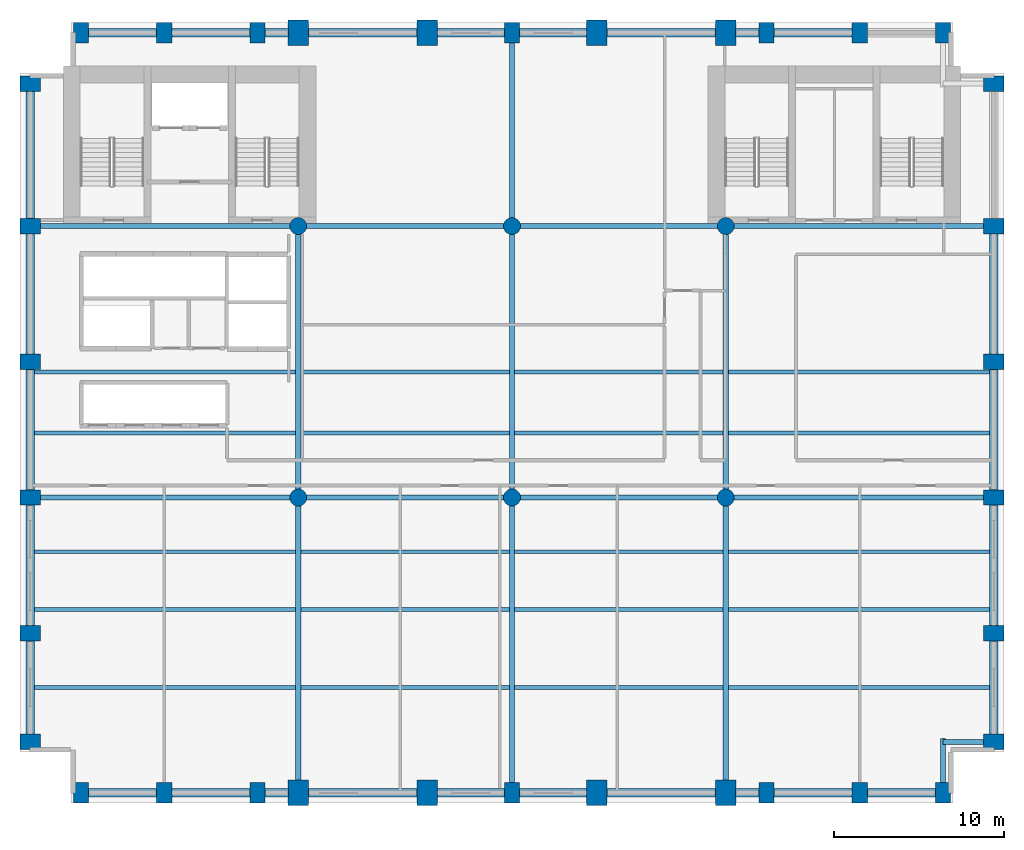
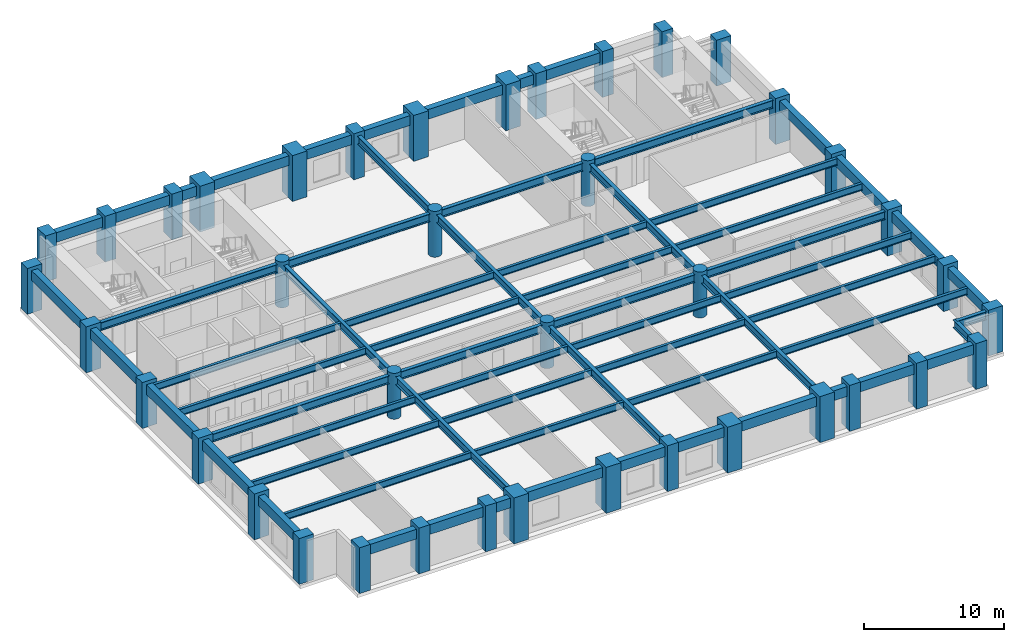
# One storey, part 1 of 8: 65 beams, 40 columns.
"""IFC4 building model written with IfcOpenShell, lengths in metres."""

from ifc_helpers import new_model, si_unit, direction, frame, origin, origin_2d, place, context, subcontext, project, spatial, rectangle, circle, i_section, extrude, material, material_profile, profile_set, type_object, element, save


model = new_model("IFC4")

# Units and contexts
model_context = context("Model", 3, precision=1e-05, world=origin(), true_north=direction((0.0, 1.0)))
body_context = subcontext(model_context, "Body", "Model", "MODEL_VIEW")
ifc_project = project(units=[si_unit("LENGTHUNIT", "METRE"), si_unit("AREAUNIT", "SQUARE_METRE"), si_unit("VOLUMEUNIT", "CUBIC_METRE"), si_unit("PLANEANGLEUNIT", "RADIAN"), si_unit("MASSUNIT", "GRAM", prefix="KILO")], contexts=[model_context])

# Site, building, storey
site_placement = place(None, origin())
site = spatial("IfcSite", under=ifc_project, at=site_placement, CompositionType="ELEMENT")
building_placement = place(site_placement, origin())
building = spatial("IfcBuilding", under=site, at=building_placement, Name="Sulina Concourse Tower", CompositionType="ELEMENT")
storey_placement = place(building_placement, frame((0.0, 0.0, 74.60009765625)))
storey = spatial("IfcBuildingStorey", under=building, at=storey_placement, Name="L18", CompositionType="ELEMENT", Elevation=74.60009765625)

# Columns
ifc_material_1 = material(Name="Concrete C60/75", Category="concrete")
ifc_material_profile_1 = material_profile(ifc_material_1, circle(Radius=0.5, at=origin_2d()), Name="RC D1000")
ifc_profile_set_1 = profile_set([ifc_material_profile_1], Name="Concrete C60/75")
column_type_1 = type_object("IfcColumnType", Name="Lower Interior Circular Column D1000", PredefinedType="COLUMN", material=ifc_profile_set_1)
for number, where, z_axis, x_axis, name in (
    (1, (16.39990234375, 18.0, 0.0), (0.0, 0.0, 1.0), (1.0, 0.0, 0.0), "L18 structural column IC-M-164"),
    (2, (16.39990234375, 34.0, 0.0), (0.0, 0.0, 1.0), (1.0, 0.0, 0.0), "L18 structural column IC-N-164"),
    (3, (29.0, 18.0, 0.0), (0.0, 0.0, 1.0), (1.0, 0.0, 0.0), "L18 structural column IC-M-290"),
    (4, (29.0, 34.0, 0.0), (0.0, 0.0, 1.0), (1.0, 0.0, 0.0), "L18 structural column IC-N-290"),
    (5, (41.60009765625, 18.0, 0.0), (0.0, 0.0, 1.0), (1.0, 0.0, 0.0), "L18 structural column IC-M-416"),
    (6, (41.60009765625, 34.0, 0.0), (0.0, 0.0, 1.0), (1.0, 0.0, 0.0), "L18 structural column IC-N-416"),
):
    element("IfcColumn", number, at=place(storey_placement, frame(where, z_axis=z_axis, x_axis=x_axis)), inside=storey, type_object=column_type_1, Name=name, PredefinedType="COLUMN", context=body_context, shape_type="SweptSolid", body=[
        extrude(circle(Radius=0.5, at=origin_2d()), origin(), (0.0, 0.0, 1.0), 4.0),
    ])
ifc_material_2 = material(Name="Concrete C80/95", Category="concrete")
ifc_material_profile_2 = material_profile(ifc_material_2, rectangle(XDim=1.199951171875, YDim=1.5, at=origin_2d()), Name="RC 1200x1500")
ifc_profile_set_2 = profile_set([ifc_material_profile_2], Name="Concrete C80/95")
column_type_2 = type_object("IfcColumnType", Name="Lower Portal End-Leg Column 1200x1500", PredefinedType="COLUMN", material=ifc_profile_set_2)
for number, where, z_axis, x_axis, name in (
    (7, (16.39990234375, 0.60009765625, 0.0), (0.0, 0.0, 1.0), (1.0, 0.0, 0.0), "L18 structural column TP-S-164"),
    (8, (16.39990234375, 45.39990234375, 0.0), (0.0, 0.0, 1.0), (1.0, 0.0, 0.0), "L18 structural column TP-N-164"),
    (9, (24.0, 0.60009765625, 0.0), (0.0, 0.0, 1.0), (1.0, 0.0, 0.0), "L18 structural column TP-S-240"),
    (10, (24.0, 45.39990234375, 0.0), (0.0, 0.0, 1.0), (1.0, 0.0, 0.0), "L18 structural column TP-N-240"),
    (11, (34.0, 0.60009765625, 0.0), (0.0, 0.0, 1.0), (1.0, 0.0, 0.0), "L18 structural column TP-S-340"),
    (12, (34.0, 45.39990234375, 0.0), (0.0, 0.0, 1.0), (1.0, 0.0, 0.0), "L18 structural column TP-N-340"),
    (13, (41.60009765625, 0.60009765625, 0.0), (0.0, 0.0, 1.0), (1.0, 0.0, 0.0), "L18 structural column TP-S-416"),
    (14, (41.60009765625, 45.39990234375, 0.0), (0.0, 0.0, 1.0), (1.0, 0.0, 0.0), "L18 structural column TP-N-416"),
):
    element("IfcColumn", number, at=place(storey_placement, frame(where, z_axis=z_axis, x_axis=x_axis)), inside=storey, type_object=column_type_2, Name=name, PredefinedType="COLUMN", context=body_context, shape_type="SweptSolid", body=[
        extrude(rectangle(XDim=1.199951171875, YDim=1.5, at=origin_2d()), origin(), (0.0, 0.0, 1.0), 4.0),
    ])
ifc_material_3 = material(Name="Precast concrete C60/75", Category="concrete")
ifc_material_profile_3 = material_profile(ifc_material_3, rectangle(XDim=0.89990234375, YDim=1.199951171875, at=origin_2d()), Name="PC 900x1200")
ifc_profile_set_3 = profile_set([ifc_material_profile_3], Name="Precast concrete C60/75")
column_type_3 = type_object("IfcColumnType", Name="Precast Tube Pier Zone 1 900x1200", PredefinedType="COLUMN", material=ifc_profile_set_3)
for number, where, z_axis, x_axis, name in (
    (15, (3.60009765625, 0.60009765625, 0.0), (0.0, 0.0, 1.0), (1.0, 0.0, 0.0), "L18 structural column TP-S-36"),
    (16, (3.60009765625, 45.39990234375, 0.0), (0.0, 0.0, 1.0), (1.0, 0.0, 0.0), "L18 structural column TP-N-36"),
    (17, (8.5, 0.60009765625, 0.0), (0.0, 0.0, 1.0), (1.0, 0.0, 0.0), "L18 structural column TP-S-85"),
    (18, (8.5, 45.39990234375, 0.0), (0.0, 0.0, 1.0), (1.0, 0.0, 0.0), "L18 structural column TP-N-85"),
    (19, (14.0, 0.60009765625, 0.0), (0.0, 0.0, 1.0), (1.0, 0.0, 0.0), "L18 structural column TP-S-140"),
    (20, (14.0, 45.39990234375, 0.0), (0.0, 0.0, 1.0), (1.0, 0.0, 0.0), "L18 structural column TP-N-140"),
    (21, (29.0, 0.60009765625, 0.0), (0.0, 0.0, 1.0), (1.0, 0.0, 0.0), "L18 structural column TP-S-290"),
    (22, (29.0, 45.39990234375, 0.0), (0.0, 0.0, 1.0), (1.0, 0.0, 0.0), "L18 structural column TP-N-290"),
    (23, (44.0, 0.60009765625, 0.0), (0.0, 0.0, 1.0), (1.0, 0.0, 0.0), "L18 structural column TP-S-440"),
    (24, (44.0, 45.39990234375, 0.0), (0.0, 0.0, 1.0), (1.0, 0.0, 0.0), "L18 structural column TP-N-440"),
    (25, (49.5, 0.60009765625, 0.0), (0.0, 0.0, 1.0), (1.0, 0.0, 0.0), "L18 structural column TP-S-495"),
    (26, (49.5, 45.39990234375, 0.0), (0.0, 0.0, 1.0), (1.0, 0.0, 0.0), "L18 structural column TP-N-495"),
    (27, (54.39990234375, 0.60009765625, 0.0), (0.0, 0.0, 1.0), (1.0, 0.0, 0.0), "L18 structural column TP-S-544"),
    (28, (54.39990234375, 45.39990234375, 0.0), (0.0, 0.0, 1.0), (1.0, 0.0, 0.0), "L18 structural column TP-N-544"),
    (29, (0.60009765625, 3.60009765625, 0.0), (0.0, 0.0, 1.0), (0.0, 1.0, 0.0), "L18 structural column TP-W-36"),
    (30, (57.39990234375, 3.60009765625, 0.0), (0.0, 0.0, 1.0), (0.0, 1.0, 0.0), "L18 structural column TP-E-36"),
    (31, (0.60009765625, 10.0, 0.0), (0.0, 0.0, 1.0), (0.0, 1.0, 0.0), "L18 structural column TP-W-100"),
    (32, (57.39990234375, 10.0, 0.0), (0.0, 0.0, 1.0), (0.0, 1.0, 0.0), "L18 structural column TP-E-100"),
    (33, (0.60009765625, 18.0, 0.0), (0.0, 0.0, 1.0), (0.0, 1.0, 0.0), "L18 structural column TP-W-180"),
    (34, (57.39990234375, 18.0, 0.0), (0.0, 0.0, 1.0), (0.0, 1.0, 0.0), "L18 structural column TP-E-180"),
    (35, (0.60009765625, 26.0, 0.0), (0.0, 0.0, 1.0), (0.0, 1.0, 0.0), "L18 structural column TP-W-260"),
    (36, (57.39990234375, 26.0, 0.0), (0.0, 0.0, 1.0), (0.0, 1.0, 0.0), "L18 structural column TP-E-260"),
    (37, (0.60009765625, 34.0, 0.0), (0.0, 0.0, 1.0), (0.0, 1.0, 0.0), "L18 structural column TP-W-340"),
    (38, (57.39990234375, 34.0, 0.0), (0.0, 0.0, 1.0), (0.0, 1.0, 0.0), "L18 structural column TP-E-340"),
    (39, (0.60009765625, 42.39990234375, 0.0), (0.0, 0.0, 1.0), (0.0, 1.0, 0.0), "L18 structural column TP-W-424"),
    (40, (57.39990234375, 42.39990234375, 0.0), (0.0, 0.0, 1.0), (0.0, 1.0, 0.0), "L18 structural column TP-E-424"),
):
    element("IfcColumn", number, at=place(storey_placement, frame(where, z_axis=z_axis, x_axis=x_axis)), inside=storey, type_object=column_type_3, Name=name, PredefinedType="COLUMN", context=body_context, shape_type="SweptSolid", body=[
        extrude(rectangle(XDim=0.89990234375, YDim=1.199951171875, at=origin_2d()), origin(), (0.0, 0.0, 1.0), 4.0),
    ])

# Beams
ifc_material_4 = material(Name="Steel S355", Category="steel")
ifc_material_profile_4 = material_profile(ifc_material_4, i_section(OverallWidth=0.219970703125, OverallDepth=0.60009765625, WebThickness=0.011962890625, FlangeThickness=0.01904296875, at=origin_2d()), Name="IPE 600")
ifc_profile_set_4 = profile_set([ifc_material_profile_4], Name="Steel S355")
beam_type_1 = type_object("IfcBeamType", Name="Composite Floor Joist IPE600", PredefinedType="JOIST", material=ifc_profile_set_4)
beam_1_placement = place(storey_placement, frame((0.85009765625, 6.800048828125, 3.39990234375), z_axis=(1.0, 0.0, 0.0), x_axis=(0.0, 1.0, 0.0)))
element("IfcBeam", 41, at=beam_1_placement, inside=storey, type_object=beam_type_1, Name="FJ-J06-1-L18", PredefinedType="JOIST", context=body_context, shape_type="SweptSolid", body=[
    extrude(i_section(OverallWidth=0.219970703125, OverallDepth=0.60009765625, WebThickness=0.011962890625, FlangeThickness=0.01904296875, at=origin_2d()), origin(), (0.0, 0.0, 1.0), 15.39990234375),
])
for number, where, z_axis, x_axis, name in (
    (42, (16.550048828125, 6.800048828125, 3.39990234375), (1.0, 0.0, 0.0), (0.0, 1.0, 0.0), "FJ-J06-2-L18"),
    (43, (29.14990234375, 6.800048828125, 3.39990234375), (1.0, 0.0, 0.0), (0.0, 1.0, 0.0), "FJ-J06-3-L18"),
):
    element("IfcBeam", number, at=place(storey_placement, frame(where, z_axis=z_axis, x_axis=x_axis)), inside=storey, type_object=beam_type_1, Name=name, PredefinedType="JOIST", context=body_context, shape_type="SweptSolid", body=[
        extrude(i_section(OverallWidth=0.219970703125, OverallDepth=0.60009765625, WebThickness=0.011962890625, FlangeThickness=0.01904296875, at=origin_2d()), origin(), (0.0, 0.0, 1.0), 12.300048828125),
    ])
for number, where, z_axis, x_axis, name in (
    (44, (41.75, 6.800048828125, 3.39990234375), (1.0, 0.0, 0.0), (0.0, 1.0, 0.0), "FJ-J06-4-L18"),
    (45, (0.85009765625, 11.39990234375, 3.39990234375), (1.0, 0.0, 0.0), (0.0, 1.0, 0.0), "FJ-J11-1-L18"),
):
    element("IfcBeam", number, at=place(storey_placement, frame(where, z_axis=z_axis, x_axis=x_axis)), inside=storey, type_object=beam_type_1, Name=name, PredefinedType="JOIST", context=body_context, shape_type="SweptSolid", body=[
        extrude(i_section(OverallWidth=0.219970703125, OverallDepth=0.60009765625, WebThickness=0.011962890625, FlangeThickness=0.01904296875, at=origin_2d()), origin(), (0.0, 0.0, 1.0), 15.39990234375),
    ])
for number, where, z_axis, x_axis, name in (
    (46, (16.550048828125, 11.39990234375, 3.39990234375), (1.0, 0.0, 0.0), (0.0, 1.0, 0.0), "FJ-J11-2-L18"),
    (47, (29.14990234375, 11.39990234375, 3.39990234375), (1.0, 0.0, 0.0), (0.0, 1.0, 0.0), "FJ-J11-3-L18"),
):
    element("IfcBeam", number, at=place(storey_placement, frame(where, z_axis=z_axis, x_axis=x_axis)), inside=storey, type_object=beam_type_1, Name=name, PredefinedType="JOIST", context=body_context, shape_type="SweptSolid", body=[
        extrude(i_section(OverallWidth=0.219970703125, OverallDepth=0.60009765625, WebThickness=0.011962890625, FlangeThickness=0.01904296875, at=origin_2d()), origin(), (0.0, 0.0, 1.0), 12.300048828125),
    ])
for number, where, z_axis, x_axis, name in (
    (48, (41.75, 11.39990234375, 3.39990234375), (1.0, 0.0, 0.0), (0.0, 1.0, 0.0), "FJ-J11-4-L18"),
    (49, (0.85009765625, 14.800048828125, 3.39990234375), (1.0, 0.0, 0.0), (0.0, 1.0, 0.0), "FJ-J15-1-L18"),
):
    element("IfcBeam", number, at=place(storey_placement, frame(where, z_axis=z_axis, x_axis=x_axis)), inside=storey, type_object=beam_type_1, Name=name, PredefinedType="JOIST", context=body_context, shape_type="SweptSolid", body=[
        extrude(i_section(OverallWidth=0.219970703125, OverallDepth=0.60009765625, WebThickness=0.011962890625, FlangeThickness=0.01904296875, at=origin_2d()), origin(), (0.0, 0.0, 1.0), 15.39990234375),
    ])
for number, where, z_axis, x_axis, name in (
    (50, (16.550048828125, 14.800048828125, 3.39990234375), (1.0, 0.0, 0.0), (0.0, 1.0, 0.0), "FJ-J15-2-L18"),
    (51, (29.14990234375, 14.800048828125, 3.39990234375), (1.0, 0.0, 0.0), (0.0, 1.0, 0.0), "FJ-J15-3-L18"),
):
    element("IfcBeam", number, at=place(storey_placement, frame(where, z_axis=z_axis, x_axis=x_axis)), inside=storey, type_object=beam_type_1, Name=name, PredefinedType="JOIST", context=body_context, shape_type="SweptSolid", body=[
        extrude(i_section(OverallWidth=0.219970703125, OverallDepth=0.60009765625, WebThickness=0.011962890625, FlangeThickness=0.01904296875, at=origin_2d()), origin(), (0.0, 0.0, 1.0), 12.300048828125),
    ])
for number, where, z_axis, x_axis, name in (
    (52, (41.75, 14.800048828125, 3.39990234375), (1.0, 0.0, 0.0), (0.0, 1.0, 0.0), "FJ-J15-4-L18"),
    (53, (0.85009765625, 21.800048828125, 3.39990234375), (1.0, 0.0, 0.0), (0.0, 1.0, 0.0), "FJ-J22-1-L18"),
):
    element("IfcBeam", number, at=place(storey_placement, frame(where, z_axis=z_axis, x_axis=x_axis)), inside=storey, type_object=beam_type_1, Name=name, PredefinedType="JOIST", context=body_context, shape_type="SweptSolid", body=[
        extrude(i_section(OverallWidth=0.219970703125, OverallDepth=0.60009765625, WebThickness=0.011962890625, FlangeThickness=0.01904296875, at=origin_2d()), origin(), (0.0, 0.0, 1.0), 15.39990234375),
    ])
for number, where, z_axis, x_axis, name in (
    (54, (16.550048828125, 21.800048828125, 3.39990234375), (1.0, 0.0, 0.0), (0.0, 1.0, 0.0), "FJ-J22-2-L18"),
    (55, (29.14990234375, 21.800048828125, 3.39990234375), (1.0, 0.0, 0.0), (0.0, 1.0, 0.0), "FJ-J22-3-L18"),
):
    element("IfcBeam", number, at=place(storey_placement, frame(where, z_axis=z_axis, x_axis=x_axis)), inside=storey, type_object=beam_type_1, Name=name, PredefinedType="JOIST", context=body_context, shape_type="SweptSolid", body=[
        extrude(i_section(OverallWidth=0.219970703125, OverallDepth=0.60009765625, WebThickness=0.011962890625, FlangeThickness=0.01904296875, at=origin_2d()), origin(), (0.0, 0.0, 1.0), 12.300048828125),
    ])
for number, where, z_axis, x_axis, name in (
    (56, (41.75, 21.800048828125, 3.39990234375), (1.0, 0.0, 0.0), (0.0, 1.0, 0.0), "FJ-J22-4-L18"),
    (57, (0.85009765625, 25.39990234375, 3.39990234375), (1.0, 0.0, 0.0), (0.0, 1.0, 0.0), "FJ-J25-1-L18"),
):
    element("IfcBeam", number, at=place(storey_placement, frame(where, z_axis=z_axis, x_axis=x_axis)), inside=storey, type_object=beam_type_1, Name=name, PredefinedType="JOIST", context=body_context, shape_type="SweptSolid", body=[
        extrude(i_section(OverallWidth=0.219970703125, OverallDepth=0.60009765625, WebThickness=0.011962890625, FlangeThickness=0.01904296875, at=origin_2d()), origin(), (0.0, 0.0, 1.0), 15.39990234375),
    ])
for number, where, z_axis, x_axis, name in (
    (58, (16.550048828125, 25.39990234375, 3.39990234375), (1.0, 0.0, 0.0), (0.0, 1.0, 0.0), "FJ-J25-2-L18"),
    (59, (29.14990234375, 25.39990234375, 3.39990234375), (1.0, 0.0, 0.0), (0.0, 1.0, 0.0), "FJ-J25-3-L18"),
):
    element("IfcBeam", number, at=place(storey_placement, frame(where, z_axis=z_axis, x_axis=x_axis)), inside=storey, type_object=beam_type_1, Name=name, PredefinedType="JOIST", context=body_context, shape_type="SweptSolid", body=[
        extrude(i_section(OverallWidth=0.219970703125, OverallDepth=0.60009765625, WebThickness=0.011962890625, FlangeThickness=0.01904296875, at=origin_2d()), origin(), (0.0, 0.0, 1.0), 12.300048828125),
    ])
beam_2_placement = place(storey_placement, frame((41.75, 25.39990234375, 3.39990234375), z_axis=(1.0, 0.0, 0.0), x_axis=(0.0, 1.0, 0.0)))
element("IfcBeam", 60, at=beam_2_placement, inside=storey, type_object=beam_type_1, Name="FJ-J25-4-L18", PredefinedType="JOIST", context=body_context, shape_type="SweptSolid", body=[
    extrude(i_section(OverallWidth=0.219970703125, OverallDepth=0.60009765625, WebThickness=0.011962890625, FlangeThickness=0.01904296875, at=origin_2d()), origin(), (0.0, 0.0, 1.0), 15.39990234375),
])
ifc_material_5 = material(Name="Steel S355", Category="steel")
ifc_material_profile_5 = material_profile(ifc_material_5, i_section(OverallWidth=0.300048828125, OverallDepth=0.699951171875, WebThickness=0.01708984375, FlangeThickness=0.031982421875, at=origin_2d()), Name="HE 700 B")
ifc_profile_set_5 = profile_set([ifc_material_profile_5], Name="Steel S355")
beam_type_2 = type_object("IfcBeamType", Name="Floor Primary Girder Zone 1 HE700B", PredefinedType="BEAM", material=ifc_profile_set_5)
beam_3_placement = place(storey_placement, frame((54.39990234375, 3.60009765625, 3.349853515625), z_axis=(1.0, 0.0, 0.0), x_axis=(0.0, 1.0, 0.0)))
element("IfcBeam", 61, at=beam_3_placement, inside=storey, type_object=beam_type_2, Name="TIE-SE-L18", PredefinedType="BEAM", context=body_context, shape_type="SweptSolid", body=[
    extrude(i_section(OverallWidth=0.300048828125, OverallDepth=0.699951171875, WebThickness=0.01708984375, FlangeThickness=0.031982421875, at=origin_2d()), origin(), (0.0, 0.0, 1.0), 2.570068359375),
])
beam_4_placement = place(storey_placement, frame((54.39990234375, 1.030029296875, 3.349853515625), z_axis=(0.0, 1.0, 0.0), x_axis=(-1.0, 0.0, 0.0)))
element("IfcBeam", 62, at=beam_4_placement, inside=storey, type_object=beam_type_2, Name="TIE-SES-L18", PredefinedType="BEAM", context=body_context, shape_type="SweptSolid", body=[
    extrude(i_section(OverallWidth=0.300048828125, OverallDepth=0.699951171875, WebThickness=0.01708984375, FlangeThickness=0.031982421875, at=origin_2d()), origin(), (0.0, 0.0, 1.0), 2.77001953125),
])
beam_5_placement = place(storey_placement, frame((1.030029296875, 18.0, 3.349853515625), z_axis=(1.0, 0.0, 0.0), x_axis=(0.0, 1.0, 0.0)))
element("IfcBeam", 63, at=beam_5_placement, inside=storey, type_object=beam_type_2, Name="FG-EW1-L18", PredefinedType="BEAM", context=body_context, shape_type="SweptSolid", body=[
    extrude(i_section(OverallWidth=0.300048828125, OverallDepth=0.699951171875, WebThickness=0.01708984375, FlangeThickness=0.031982421875, at=origin_2d()), origin(), (0.0, 0.0, 1.0), 14.889892578125),
])
for number, where, z_axis, x_axis, name in (
    (64, (16.8798828125, 18.0, 3.349853515625), (1.0, 0.0, 0.0), (0.0, 1.0, 0.0), "FG-EW2-L18"),
    (65, (29.47998046875, 18.0, 3.349853515625), (1.0, 0.0, 0.0), (0.0, 1.0, 0.0), "FG-EW3-L18"),
):
    element("IfcBeam", number, at=place(storey_placement, frame(where, z_axis=z_axis, x_axis=x_axis)), inside=storey, type_object=beam_type_2, Name=name, PredefinedType="BEAM", context=body_context, shape_type="SweptSolid", body=[
        extrude(i_section(OverallWidth=0.300048828125, OverallDepth=0.699951171875, WebThickness=0.01708984375, FlangeThickness=0.031982421875, at=origin_2d()), origin(), (0.0, 0.0, 1.0), 11.64013671875),
    ])
for number, where, z_axis, x_axis, name in (
    (66, (42.080078125, 18.0, 3.349853515625), (1.0, 0.0, 0.0), (0.0, 1.0, 0.0), "FG-EW4-L18"),
    (67, (1.030029296875, 34.0, 3.349853515625), (1.0, 0.0, 0.0), (0.0, 1.0, 0.0), "FG-EWN1-L18"),
):
    element("IfcBeam", number, at=place(storey_placement, frame(where, z_axis=z_axis, x_axis=x_axis)), inside=storey, type_object=beam_type_2, Name=name, PredefinedType="BEAM", context=body_context, shape_type="SweptSolid", body=[
        extrude(i_section(OverallWidth=0.300048828125, OverallDepth=0.699951171875, WebThickness=0.01708984375, FlangeThickness=0.031982421875, at=origin_2d()), origin(), (0.0, 0.0, 1.0), 14.889892578125),
    ])
for number, where, z_axis, x_axis, name in (
    (68, (16.8798828125, 34.0, 3.349853515625), (1.0, 0.0, 0.0), (0.0, 1.0, 0.0), "FG-EWN2-L18"),
    (69, (29.47998046875, 34.0, 3.349853515625), (1.0, 0.0, 0.0), (0.0, 1.0, 0.0), "FG-EWN3-L18"),
):
    element("IfcBeam", number, at=place(storey_placement, frame(where, z_axis=z_axis, x_axis=x_axis)), inside=storey, type_object=beam_type_2, Name=name, PredefinedType="BEAM", context=body_context, shape_type="SweptSolid", body=[
        extrude(i_section(OverallWidth=0.300048828125, OverallDepth=0.699951171875, WebThickness=0.01708984375, FlangeThickness=0.031982421875, at=origin_2d()), origin(), (0.0, 0.0, 1.0), 11.64013671875),
    ])
beam_6_placement = place(storey_placement, frame((42.080078125, 34.0, 3.349853515625), z_axis=(1.0, 0.0, 0.0), x_axis=(0.0, 1.0, 0.0)))
element("IfcBeam", 70, at=beam_6_placement, inside=storey, type_object=beam_type_2, Name="FG-EWN4-L18", PredefinedType="BEAM", context=body_context, shape_type="SweptSolid", body=[
    extrude(i_section(OverallWidth=0.300048828125, OverallDepth=0.699951171875, WebThickness=0.01708984375, FlangeThickness=0.031982421875, at=origin_2d()), origin(), (0.0, 0.0, 1.0), 14.889892578125),
])
beam_7_placement = place(storey_placement, frame((16.39990234375, 1.179931640625, 3.349853515625), z_axis=(0.0, 1.0, 0.0), x_axis=(-1.0, 0.0, 0.0)))
element("IfcBeam", 71, at=beam_7_placement, inside=storey, type_object=beam_type_2, Name="FG-NSA-16-L18", PredefinedType="BEAM", context=body_context, shape_type="SweptSolid", body=[
    extrude(i_section(OverallWidth=0.300048828125, OverallDepth=0.699951171875, WebThickness=0.01708984375, FlangeThickness=0.031982421875, at=origin_2d()), origin(), (0.0, 0.0, 1.0), 16.340087890625),
])
beam_8_placement = place(storey_placement, frame((16.39990234375, 18.47998046875, 3.349853515625), z_axis=(0.0, 1.0, 0.0), x_axis=(-1.0, 0.0, 0.0)))
element("IfcBeam", 72, at=beam_8_placement, inside=storey, type_object=beam_type_2, Name="FG-NSB-16-L18", PredefinedType="BEAM", context=body_context, shape_type="SweptSolid", body=[
    extrude(i_section(OverallWidth=0.300048828125, OverallDepth=0.699951171875, WebThickness=0.01708984375, FlangeThickness=0.031982421875, at=origin_2d()), origin(), (0.0, 0.0, 1.0), 15.0400390625),
])
beam_9_placement = place(storey_placement, frame((29.0, 1.030029296875, 3.349853515625), z_axis=(0.0, 1.0, 0.0), x_axis=(-1.0, 0.0, 0.0)))
element("IfcBeam", 73, at=beam_9_placement, inside=storey, type_object=beam_type_2, Name="FG-NSA-29-L18", PredefinedType="BEAM", context=body_context, shape_type="SweptSolid", body=[
    extrude(i_section(OverallWidth=0.300048828125, OverallDepth=0.699951171875, WebThickness=0.01708984375, FlangeThickness=0.031982421875, at=origin_2d()), origin(), (0.0, 0.0, 1.0), 16.489990234375),
])
beam_10_placement = place(storey_placement, frame((29.0, 18.47998046875, 3.349853515625), z_axis=(0.0, 1.0, 0.0), x_axis=(-1.0, 0.0, 0.0)))
element("IfcBeam", 74, at=beam_10_placement, inside=storey, type_object=beam_type_2, Name="FG-NSB-29-L18", PredefinedType="BEAM", context=body_context, shape_type="SweptSolid", body=[
    extrude(i_section(OverallWidth=0.300048828125, OverallDepth=0.699951171875, WebThickness=0.01708984375, FlangeThickness=0.031982421875, at=origin_2d()), origin(), (0.0, 0.0, 1.0), 15.0400390625),
])
beam_11_placement = place(storey_placement, frame((29.0, 34.47998046875, 3.349853515625), z_axis=(0.0, 1.0, 0.0), x_axis=(-1.0, 0.0, 0.0)))
element("IfcBeam", 75, at=beam_11_placement, inside=storey, type_object=beam_type_2, Name="FG-NSC-29-L18", PredefinedType="BEAM", context=body_context, shape_type="SweptSolid", body=[
    extrude(i_section(OverallWidth=0.300048828125, OverallDepth=0.699951171875, WebThickness=0.01708984375, FlangeThickness=0.031982421875, at=origin_2d()), origin(), (0.0, 0.0, 1.0), 10.489990234375),
])
beam_12_placement = place(storey_placement, frame((41.60009765625, 1.179931640625, 3.349853515625), z_axis=(0.0, 1.0, 0.0), x_axis=(-1.0, 0.0, 0.0)))
element("IfcBeam", 76, at=beam_12_placement, inside=storey, type_object=beam_type_2, Name="FG-NSA-41-L18", PredefinedType="BEAM", context=body_context, shape_type="SweptSolid", body=[
    extrude(i_section(OverallWidth=0.300048828125, OverallDepth=0.699951171875, WebThickness=0.01708984375, FlangeThickness=0.031982421875, at=origin_2d()), origin(), (0.0, 0.0, 1.0), 16.340087890625),
])
beam_13_placement = place(storey_placement, frame((41.60009765625, 18.47998046875, 3.349853515625), z_axis=(0.0, 1.0, 0.0), x_axis=(-1.0, 0.0, 0.0)))
element("IfcBeam", 77, at=beam_13_placement, inside=storey, type_object=beam_type_2, Name="FG-NSB-41-L18", PredefinedType="BEAM", context=body_context, shape_type="SweptSolid", body=[
    extrude(i_section(OverallWidth=0.300048828125, OverallDepth=0.699951171875, WebThickness=0.01708984375, FlangeThickness=0.031982421875, at=origin_2d()), origin(), (0.0, 0.0, 1.0), 15.0400390625),
])
ifc_material_6 = material(Name="Precast concrete C50/60", Category="concrete")
ifc_material_profile_6 = material_profile(ifc_material_6, rectangle(XDim=0.5, YDim=0.85009765625, at=origin_2d()), Name="RC 500x850")
ifc_profile_set_6 = profile_set([ifc_material_profile_6], Name="Precast concrete C50/60")
beam_type_3 = type_object("IfcBeamType", Name="Lower Precast Spandrel Edge Beam 500x850", PredefinedType="BEAM", material=ifc_profile_set_6)
beam_14_placement = place(storey_placement, frame((4.030029296875, 0.60009765625, 3.27490234375), z_axis=(1.0, 0.0, 0.0), x_axis=(0.0, 1.0, 0.0)))
element("IfcBeam", 78, at=beam_14_placement, inside=storey, type_object=beam_type_3, Name="SP-S1-L18", PredefinedType="BEAM", context=body_context, shape_type="SweptSolid", body=[
    extrude(rectangle(XDim=0.5, YDim=0.85009765625, at=origin_2d()), origin(), (0.0, 0.0, 1.0), 4.0400390625),
])
beam_15_placement = place(storey_placement, frame((8.929931640625, 0.60009765625, 3.27490234375), z_axis=(1.0, 0.0, 0.0), x_axis=(0.0, 1.0, 0.0)))
element("IfcBeam", 79, at=beam_15_placement, inside=storey, type_object=beam_type_3, Name="SP-S2-L18", PredefinedType="BEAM", context=body_context, shape_type="SweptSolid", body=[
    extrude(rectangle(XDim=0.5, YDim=0.85009765625, at=origin_2d()), origin(), (0.0, 0.0, 1.0), 4.64013671875),
])
beam_16_placement = place(storey_placement, frame((14.429931640625, 0.60009765625, 3.27490234375), z_axis=(1.0, 0.0, 0.0), x_axis=(0.0, 1.0, 0.0)))
element("IfcBeam", 80, at=beam_16_placement, inside=storey, type_object=beam_type_3, Name="SP-S3-L18", PredefinedType="BEAM", context=body_context, shape_type="SweptSolid", body=[
    extrude(rectangle(XDim=0.5, YDim=0.85009765625, at=origin_2d()), origin(), (0.0, 0.0, 1.0), 1.39013671875),
])
beam_17_placement = place(storey_placement, frame((16.97998046875, 0.60009765625, 3.27490234375), z_axis=(1.0, 0.0, 0.0), x_axis=(0.0, 1.0, 0.0)))
element("IfcBeam", 81, at=beam_17_placement, inside=storey, type_object=beam_type_3, Name="SP-S4-L18", PredefinedType="BEAM", context=body_context, shape_type="SweptSolid", body=[
    extrude(rectangle(XDim=0.5, YDim=0.85009765625, at=origin_2d()), origin(), (0.0, 0.0, 1.0), 6.43994140625),
])
for number, where, z_axis, x_axis, name in (
    (82, (24.580078125, 0.60009765625, 3.27490234375), (1.0, 0.0, 0.0), (0.0, 1.0, 0.0), "SP-S5-L18"),
    (83, (29.429931640625, 0.60009765625, 3.27490234375), (1.0, 0.0, 0.0), (0.0, 1.0, 0.0), "SP-S6-L18"),
):
    element("IfcBeam", number, at=place(storey_placement, frame(where, z_axis=z_axis, x_axis=x_axis)), inside=storey, type_object=beam_type_3, Name=name, PredefinedType="BEAM", context=body_context, shape_type="SweptSolid", body=[
        extrude(rectangle(XDim=0.5, YDim=0.85009765625, at=origin_2d()), origin(), (0.0, 0.0, 1.0), 3.989990234375),
    ])
beam_18_placement = place(storey_placement, frame((34.580078125, 0.60009765625, 3.27490234375), z_axis=(1.0, 0.0, 0.0), x_axis=(0.0, 1.0, 0.0)))
element("IfcBeam", 84, at=beam_18_placement, inside=storey, type_object=beam_type_3, Name="SP-S7-L18", PredefinedType="BEAM", context=body_context, shape_type="SweptSolid", body=[
    extrude(rectangle(XDim=0.5, YDim=0.85009765625, at=origin_2d()), origin(), (0.0, 0.0, 1.0), 6.43994140625),
])
beam_19_placement = place(storey_placement, frame((42.179931640625, 0.60009765625, 3.27490234375), z_axis=(1.0, 0.0, 0.0), x_axis=(0.0, 1.0, 0.0)))
element("IfcBeam", 85, at=beam_19_placement, inside=storey, type_object=beam_type_3, Name="SP-S8-L18", PredefinedType="BEAM", context=body_context, shape_type="SweptSolid", body=[
    extrude(rectangle(XDim=0.5, YDim=0.85009765625, at=origin_2d()), origin(), (0.0, 0.0, 1.0), 1.39013671875),
])
beam_20_placement = place(storey_placement, frame((44.429931640625, 0.60009765625, 3.27490234375), z_axis=(1.0, 0.0, 0.0), x_axis=(0.0, 1.0, 0.0)))
element("IfcBeam", 86, at=beam_20_placement, inside=storey, type_object=beam_type_3, Name="SP-S9-L18", PredefinedType="BEAM", context=body_context, shape_type="SweptSolid", body=[
    extrude(rectangle(XDim=0.5, YDim=0.85009765625, at=origin_2d()), origin(), (0.0, 0.0, 1.0), 4.64013671875),
])
for number, where, z_axis, x_axis, name in (
    (87, (49.929931640625, 0.60009765625, 3.27490234375), (1.0, 0.0, 0.0), (0.0, 1.0, 0.0), "SP-S10-L18"),
    (88, (4.030029296875, 45.39990234375, 3.27490234375), (1.0, 0.0, 0.0), (0.0, 1.0, 0.0), "SP-N1-L18"),
):
    element("IfcBeam", number, at=place(storey_placement, frame(where, z_axis=z_axis, x_axis=x_axis)), inside=storey, type_object=beam_type_3, Name=name, PredefinedType="BEAM", context=body_context, shape_type="SweptSolid", body=[
        extrude(rectangle(XDim=0.5, YDim=0.85009765625, at=origin_2d()), origin(), (0.0, 0.0, 1.0), 4.0400390625),
    ])
beam_21_placement = place(storey_placement, frame((8.929931640625, 45.39990234375, 3.27490234375), z_axis=(1.0, 0.0, 0.0), x_axis=(0.0, 1.0, 0.0)))
element("IfcBeam", 89, at=beam_21_placement, inside=storey, type_object=beam_type_3, Name="SP-N2-L18", PredefinedType="BEAM", context=body_context, shape_type="SweptSolid", body=[
    extrude(rectangle(XDim=0.5, YDim=0.85009765625, at=origin_2d()), origin(), (0.0, 0.0, 1.0), 4.64013671875),
])
beam_22_placement = place(storey_placement, frame((14.429931640625, 45.39990234375, 3.27490234375), z_axis=(1.0, 0.0, 0.0), x_axis=(0.0, 1.0, 0.0)))
element("IfcBeam", 90, at=beam_22_placement, inside=storey, type_object=beam_type_3, Name="SP-N3-L18", PredefinedType="BEAM", context=body_context, shape_type="SweptSolid", body=[
    extrude(rectangle(XDim=0.5, YDim=0.85009765625, at=origin_2d()), origin(), (0.0, 0.0, 1.0), 1.39013671875),
])
beam_23_placement = place(storey_placement, frame((16.97998046875, 45.39990234375, 3.27490234375), z_axis=(1.0, 0.0, 0.0), x_axis=(0.0, 1.0, 0.0)))
element("IfcBeam", 91, at=beam_23_placement, inside=storey, type_object=beam_type_3, Name="SP-N4-L18", PredefinedType="BEAM", context=body_context, shape_type="SweptSolid", body=[
    extrude(rectangle(XDim=0.5, YDim=0.85009765625, at=origin_2d()), origin(), (0.0, 0.0, 1.0), 6.43994140625),
])
for number, where, z_axis, x_axis, name in (
    (92, (24.580078125, 45.39990234375, 3.27490234375), (1.0, 0.0, 0.0), (0.0, 1.0, 0.0), "SP-N5-L18"),
    (93, (29.429931640625, 45.39990234375, 3.27490234375), (1.0, 0.0, 0.0), (0.0, 1.0, 0.0), "SP-N6-L18"),
):
    element("IfcBeam", number, at=place(storey_placement, frame(where, z_axis=z_axis, x_axis=x_axis)), inside=storey, type_object=beam_type_3, Name=name, PredefinedType="BEAM", context=body_context, shape_type="SweptSolid", body=[
        extrude(rectangle(XDim=0.5, YDim=0.85009765625, at=origin_2d()), origin(), (0.0, 0.0, 1.0), 3.989990234375),
    ])
beam_24_placement = place(storey_placement, frame((34.580078125, 45.39990234375, 3.27490234375), z_axis=(1.0, 0.0, 0.0), x_axis=(0.0, 1.0, 0.0)))
element("IfcBeam", 94, at=beam_24_placement, inside=storey, type_object=beam_type_3, Name="SP-N7-L18", PredefinedType="BEAM", context=body_context, shape_type="SweptSolid", body=[
    extrude(rectangle(XDim=0.5, YDim=0.85009765625, at=origin_2d()), origin(), (0.0, 0.0, 1.0), 6.43994140625),
])
beam_25_placement = place(storey_placement, frame((42.179931640625, 45.39990234375, 3.27490234375), z_axis=(1.0, 0.0, 0.0), x_axis=(0.0, 1.0, 0.0)))
element("IfcBeam", 95, at=beam_25_placement, inside=storey, type_object=beam_type_3, Name="SP-N8-L18", PredefinedType="BEAM", context=body_context, shape_type="SweptSolid", body=[
    extrude(rectangle(XDim=0.5, YDim=0.85009765625, at=origin_2d()), origin(), (0.0, 0.0, 1.0), 1.39013671875),
])
beam_26_placement = place(storey_placement, frame((44.429931640625, 45.39990234375, 3.27490234375), z_axis=(1.0, 0.0, 0.0), x_axis=(0.0, 1.0, 0.0)))
element("IfcBeam", 96, at=beam_26_placement, inside=storey, type_object=beam_type_3, Name="SP-N9-L18", PredefinedType="BEAM", context=body_context, shape_type="SweptSolid", body=[
    extrude(rectangle(XDim=0.5, YDim=0.85009765625, at=origin_2d()), origin(), (0.0, 0.0, 1.0), 4.64013671875),
])
beam_27_placement = place(storey_placement, frame((0.60009765625, 4.030029296875, 3.27490234375), z_axis=(0.0, 1.0, 0.0), x_axis=(-1.0, 0.0, 0.0)))
element("IfcBeam", 97, at=beam_27_placement, inside=storey, type_object=beam_type_3, Name="SP-W1-L18", PredefinedType="BEAM", context=body_context, shape_type="SweptSolid", body=[
    extrude(rectangle(XDim=0.5, YDim=0.85009765625, at=origin_2d()), origin(), (0.0, 0.0, 1.0), 5.5400390625),
])
for number, where, z_axis, x_axis, name in (
    (98, (0.60009765625, 10.429931640625, 3.27490234375), (0.0, 1.0, 0.0), (-1.0, 0.0, 0.0), "SP-W2-L18"),
    (99, (0.60009765625, 18.429931640625, 3.27490234375), (0.0, 1.0, 0.0), (-1.0, 0.0, 0.0), "SP-W3-L18"),
    (100, (0.60009765625, 26.429931640625, 3.27490234375), (0.0, 1.0, 0.0), (-1.0, 0.0, 0.0), "SP-W4-L18"),
):
    element("IfcBeam", number, at=place(storey_placement, frame(where, z_axis=z_axis, x_axis=x_axis)), inside=storey, type_object=beam_type_3, Name=name, PredefinedType="BEAM", context=body_context, shape_type="SweptSolid", body=[
        extrude(rectangle(XDim=0.5, YDim=0.85009765625, at=origin_2d()), origin(), (0.0, 0.0, 1.0), 7.14013671875),
    ])
beam_28_placement = place(storey_placement, frame((0.60009765625, 34.429931640625, 3.27490234375), z_axis=(0.0, 1.0, 0.0), x_axis=(-1.0, 0.0, 0.0)))
element("IfcBeam", 101, at=beam_28_placement, inside=storey, type_object=beam_type_3, Name="SP-W5-L18", PredefinedType="BEAM", context=body_context, shape_type="SweptSolid", body=[
    extrude(rectangle(XDim=0.5, YDim=0.85009765625, at=origin_2d()), origin(), (0.0, 0.0, 1.0), 7.5400390625),
])
beam_29_placement = place(storey_placement, frame((57.39990234375, 4.030029296875, 3.27490234375), z_axis=(0.0, 1.0, 0.0), x_axis=(-1.0, 0.0, 0.0)))
element("IfcBeam", 102, at=beam_29_placement, inside=storey, type_object=beam_type_3, Name="SP-E1-L18", PredefinedType="BEAM", context=body_context, shape_type="SweptSolid", body=[
    extrude(rectangle(XDim=0.5, YDim=0.85009765625, at=origin_2d()), origin(), (0.0, 0.0, 1.0), 5.5400390625),
])
for number, where, z_axis, x_axis, name in (
    (103, (57.39990234375, 10.429931640625, 3.27490234375), (0.0, 1.0, 0.0), (-1.0, 0.0, 0.0), "SP-E2-L18"),
    (104, (57.39990234375, 18.429931640625, 3.27490234375), (0.0, 1.0, 0.0), (-1.0, 0.0, 0.0), "SP-E3-L18"),
    (105, (57.39990234375, 26.429931640625, 3.27490234375), (0.0, 1.0, 0.0), (-1.0, 0.0, 0.0), "SP-E4-L18"),
):
    element("IfcBeam", number, at=place(storey_placement, frame(where, z_axis=z_axis, x_axis=x_axis)), inside=storey, type_object=beam_type_3, Name=name, PredefinedType="BEAM", context=body_context, shape_type="SweptSolid", body=[
        extrude(rectangle(XDim=0.5, YDim=0.85009765625, at=origin_2d()), origin(), (0.0, 0.0, 1.0), 7.14013671875),
    ])

save(model, "model.ifc")
